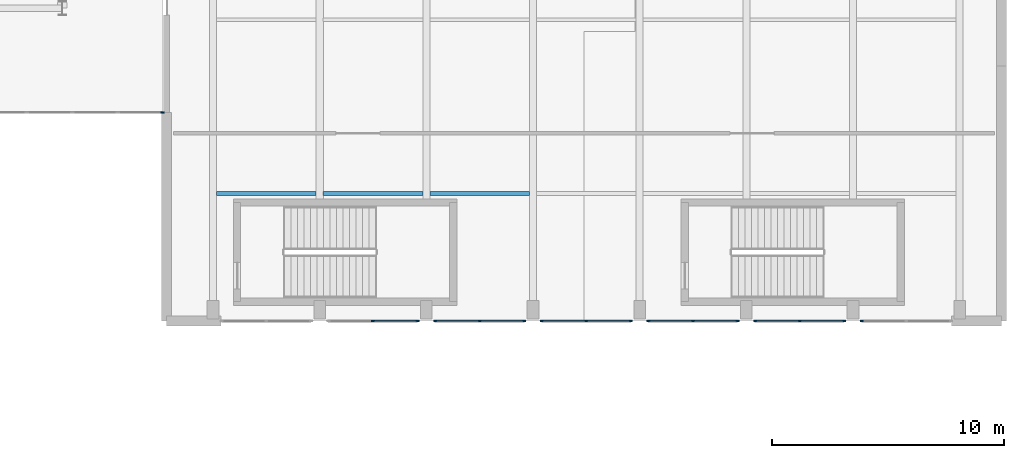
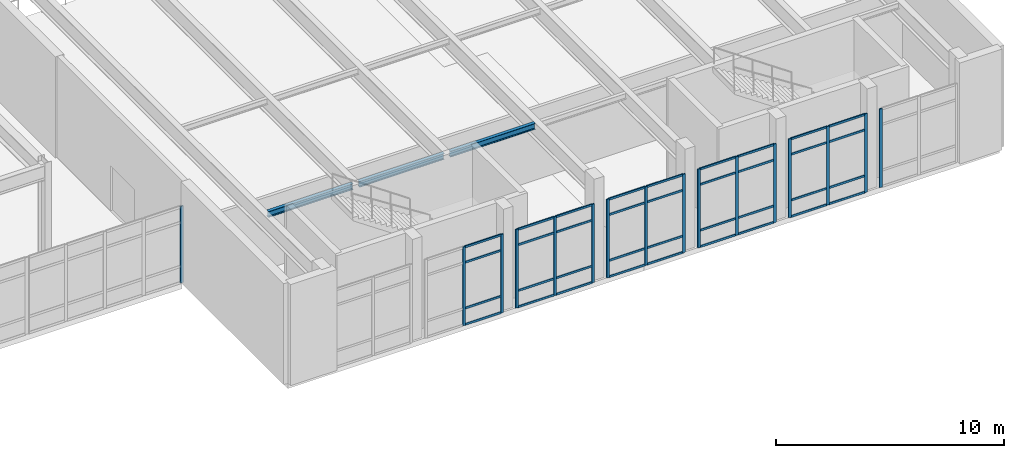
# One storey, part 38 of 84: 52 members, 3 beams, 7 elements without a shape of their own.
"""IFC4 building model written with IfcOpenShell, lengths in metres."""

from ifc_helpers import new_model, si_unit, direction, frame, origin, origin_2d, place, context, subcontext, project, spatial, rectangle, i_section, extrude, material, layer, layer_set, material_profile, profile_set, type_object, element, aggregate, save


model = new_model("IFC4")

# Units and contexts
model_context = context("Model", 3, precision=1e-05, world=origin(), true_north=direction((0.0, 1.0)))
body_context = subcontext(model_context, "Body", "Model", "MODEL_VIEW")
ifc_project = project(units=[si_unit("LENGTHUNIT", "METRE"), si_unit("AREAUNIT", "SQUARE_METRE"), si_unit("VOLUMEUNIT", "CUBIC_METRE"), si_unit("PLANEANGLEUNIT", "RADIAN"), si_unit("MASSUNIT", "GRAM", prefix="KILO")], contexts=[model_context])

# Site, building, storey
site_placement = place(None, origin())
site = spatial("IfcSite", under=ifc_project, at=site_placement, CompositionType="ELEMENT")
building_placement = place(site_placement, origin())
building = spatial("IfcBuilding", under=site, at=building_placement, Name="Tlacozan Convention Centre", CompositionType="ELEMENT")
storey_placement = place(building_placement, frame((0.0, 0.0, 6.0)))
storey = spatial("IfcBuildingStorey", under=building, at=storey_placement, Name="L01", CompositionType="ELEMENT", Elevation=6.0)

# Curtain wall, members
ifc_material_1 = material(Name="Dark Bronze Anodised Aluminium", Category="aluminium")
ifc_layer_1 = layer(ifc_material_1, 0.139892578125)
ifc_layer_set_1 = layer_set([ifc_layer_1], Name="Dark Bronze Anodised Aluminium")
curtain_wall_type_1 = type_object("IfcCurtainWallType", Name="Plenary Foyer L01 Curtain Wall CW11", PredefinedType="NOTDEFINED", material=ifc_layer_set_1)
curtain_wall_1_placement = place(storey_placement, origin())
curtain_wall_1 = element("IfcCurtainWall", 1, at=curtain_wall_1_placement, inside=storey, type_object=curtain_wall_type_1, Name="L01 CW-11 Run 143", PredefinedType="NOTDEFINED")
ifc_material_profile_1 = material_profile(ifc_material_1, rectangle(XDim=0.06005859375, YDim=0.139892578125, at=origin_2d()), Name="ALU 60x140")
ifc_profile_set_1 = profile_set([ifc_material_profile_1], Name="Dark Bronze Anodised Aluminium")
member_type_1 = type_object("IfcMemberType", Name="Curtain Wall Light Mullion 60x140", PredefinedType="MULLION", material=ifc_profile_set_1)
member_1_placement = place(storey_placement, frame((152.89990234375, 18.0, 0.0), z_axis=(0.0, 0.0, 1.0), x_axis=(0.0, 1.0, 0.0)))
member_1 = element("IfcMember", 2, at=member_1_placement, type_object=member_type_1, Name="CW-11 mullion 2", PredefinedType="MULLION", context=body_context, shape_type="SweptSolid", body=[
    extrude(rectangle(XDim=0.06005859375, YDim=0.139892578125, at=origin_2d()), origin(), (0.0, 0.0, 1.0), 4.199951171875),
])
member_2_placement = place(storey_placement, frame((154.820068359375, 18.0, 0.0), z_axis=(0.0, 0.0, 1.0), x_axis=(0.0, 1.0, 0.0)))
member_2 = element("IfcMember", 3, at=member_2_placement, type_object=member_type_1, Name="CW-11 mullion 3", PredefinedType="MULLION", context=body_context, shape_type="SweptSolid", body=[
    extrude(rectangle(XDim=0.06005859375, YDim=0.139892578125, at=origin_2d()), origin(), (0.0, 0.0, 1.0), 4.199951171875),
])

curtain_wall_2_placement = place(storey_placement, origin())
curtain_wall_2 = element("IfcCurtainWall", 4, at=curtain_wall_2_placement, inside=storey, type_object=curtain_wall_type_1, Name="L01 CW-11 Run 145", PredefinedType="NOTDEFINED")
member_3_placement = place(storey_placement, frame((155.580078125, 18.0, 0.0), z_axis=(0.0, 0.0, 1.0), x_axis=(0.0, 1.0, 0.0)))
member_3 = element("IfcMember", 5, at=member_3_placement, type_object=member_type_1, Name="CW-11 mullion 1", PredefinedType="MULLION", context=body_context, shape_type="SweptSolid", body=[
    extrude(rectangle(XDim=0.06005859375, YDim=0.139892578125, at=origin_2d()), origin(), (0.0, 0.0, 1.0), 4.199951171875),
])
member_4_placement = place(storey_placement, frame((157.5, 18.0, 0.0), z_axis=(0.0, 0.0, 1.0), x_axis=(0.0, 1.0, 0.0)))
member_4 = element("IfcMember", 6, at=member_4_placement, type_object=member_type_1, Name="CW-11 mullion 2", PredefinedType="MULLION", context=body_context, shape_type="SweptSolid", body=[
    extrude(rectangle(XDim=0.06005859375, YDim=0.139892578125, at=origin_2d()), origin(), (0.0, 0.0, 1.0), 4.199951171875),
])
member_5_placement = place(storey_placement, frame((159.419921875, 18.0, 0.0), z_axis=(0.0, 0.0, 1.0), x_axis=(0.0, 1.0, 0.0)))
member_5 = element("IfcMember", 7, at=member_5_placement, type_object=member_type_1, Name="CW-11 mullion 3", PredefinedType="MULLION", context=body_context, shape_type="SweptSolid", body=[
    extrude(rectangle(XDim=0.06005859375, YDim=0.139892578125, at=origin_2d()), origin(), (0.0, 0.0, 1.0), 4.199951171875),
])

curtain_wall_3_placement = place(storey_placement, origin())
curtain_wall_3 = element("IfcCurtainWall", 8, at=curtain_wall_3_placement, inside=storey, type_object=curtain_wall_type_1, Name="L01 CW-11 Run 147", PredefinedType="NOTDEFINED")
member_6_placement = place(storey_placement, frame((160.179931640625, 18.0, 0.0), z_axis=(0.0, 0.0, 1.0), x_axis=(0.0, 1.0, 0.0)))
member_6 = element("IfcMember", 9, at=member_6_placement, type_object=member_type_1, Name="CW-11 mullion 1", PredefinedType="MULLION", context=body_context, shape_type="SweptSolid", body=[
    extrude(rectangle(XDim=0.06005859375, YDim=0.139892578125, at=origin_2d()), origin(), (0.0, 0.0, 1.0), 4.199951171875),
])
member_7_placement = place(storey_placement, frame((162.10009765625, 18.0, 0.0), z_axis=(0.0, 0.0, 1.0), x_axis=(0.0, 1.0, 0.0)))
member_7 = element("IfcMember", 10, at=member_7_placement, type_object=member_type_1, Name="CW-11 mullion 2", PredefinedType="MULLION", context=body_context, shape_type="SweptSolid", body=[
    extrude(rectangle(XDim=0.06005859375, YDim=0.139892578125, at=origin_2d()), origin(), (0.0, 0.0, 1.0), 4.199951171875),
])
member_8_placement = place(storey_placement, frame((164.02001953125, 18.0, 0.0), z_axis=(0.0, 0.0, 1.0), x_axis=(0.0, 1.0, 0.0)))
member_8 = element("IfcMember", 11, at=member_8_placement, type_object=member_type_1, Name="CW-11 mullion 3", PredefinedType="MULLION", context=body_context, shape_type="SweptSolid", body=[
    extrude(rectangle(XDim=0.06005859375, YDim=0.139892578125, at=origin_2d()), origin(), (0.0, 0.0, 1.0), 4.199951171875),
])

curtain_wall_4_placement = place(storey_placement, origin())
curtain_wall_4 = element("IfcCurtainWall", 12, at=curtain_wall_4_placement, inside=storey, type_object=curtain_wall_type_1, Name="L01 CW-11 Run 149", PredefinedType="NOTDEFINED")
member_9_placement = place(storey_placement, frame((164.780029296875, 18.0, 0.0), z_axis=(0.0, 0.0, 1.0), x_axis=(0.0, 1.0, 0.0)))
member_9 = element("IfcMember", 13, at=member_9_placement, type_object=member_type_1, Name="CW-11 mullion 1", PredefinedType="MULLION", context=body_context, shape_type="SweptSolid", body=[
    extrude(rectangle(XDim=0.06005859375, YDim=0.139892578125, at=origin_2d()), origin(), (0.0, 0.0, 1.0), 4.199951171875),
])
member_10_placement = place(storey_placement, frame((166.699951171875, 18.0, 0.0), z_axis=(0.0, 0.0, 1.0), x_axis=(0.0, 1.0, 0.0)))
member_10 = element("IfcMember", 14, at=member_10_placement, type_object=member_type_1, Name="CW-11 mullion 2", PredefinedType="MULLION", context=body_context, shape_type="SweptSolid", body=[
    extrude(rectangle(XDim=0.06005859375, YDim=0.139892578125, at=origin_2d()), origin(), (0.0, 0.0, 1.0), 4.199951171875),
])
member_11_placement = place(storey_placement, frame((168.6201171875, 18.0, 0.0), z_axis=(0.0, 0.0, 1.0), x_axis=(0.0, 1.0, 0.0)))
member_11 = element("IfcMember", 15, at=member_11_placement, type_object=member_type_1, Name="CW-11 mullion 3", PredefinedType="MULLION", context=body_context, shape_type="SweptSolid", body=[
    extrude(rectangle(XDim=0.06005859375, YDim=0.139892578125, at=origin_2d()), origin(), (0.0, 0.0, 1.0), 4.199951171875),
])

curtain_wall_5_placement = place(storey_placement, origin())
curtain_wall_5 = element("IfcCurtainWall", 16, at=curtain_wall_5_placement, inside=storey, type_object=curtain_wall_type_1, Name="L01 CW-11 Run 151", PredefinedType="NOTDEFINED")
member_12_placement = place(storey_placement, frame((169.3798828125, 18.0, 0.0), z_axis=(0.0, 0.0, 1.0), x_axis=(0.0, 1.0, 0.0)))
member_12 = element("IfcMember", 17, at=member_12_placement, type_object=member_type_1, Name="CW-11 mullion 1", PredefinedType="MULLION", context=body_context, shape_type="SweptSolid", body=[
    extrude(rectangle(XDim=0.06005859375, YDim=0.139892578125, at=origin_2d()), origin(), (0.0, 0.0, 1.0), 4.199951171875),
])
member_13_placement = place(storey_placement, frame((171.300048828125, 18.0, 0.0), z_axis=(0.0, 0.0, 1.0), x_axis=(0.0, 1.0, 0.0)))
member_13 = element("IfcMember", 18, at=member_13_placement, type_object=member_type_1, Name="CW-11 mullion 2", PredefinedType="MULLION", context=body_context, shape_type="SweptSolid", body=[
    extrude(rectangle(XDim=0.06005859375, YDim=0.139892578125, at=origin_2d()), origin(), (0.0, 0.0, 1.0), 4.199951171875),
])
member_14_placement = place(storey_placement, frame((173.219970703125, 18.0, 0.0), z_axis=(0.0, 0.0, 1.0), x_axis=(0.0, 1.0, 0.0)))
member_14 = element("IfcMember", 19, at=member_14_placement, type_object=member_type_1, Name="CW-11 mullion 3", PredefinedType="MULLION", context=body_context, shape_type="SweptSolid", body=[
    extrude(rectangle(XDim=0.06005859375, YDim=0.139892578125, at=origin_2d()), origin(), (0.0, 0.0, 1.0), 4.199951171875),
])

# Curtain wall, member
curtain_wall_6_placement = place(storey_placement, origin())
curtain_wall_6 = element("IfcCurtainWall", 20, at=curtain_wall_6_placement, inside=storey, type_object=curtain_wall_type_1, Name="L01 CW-11 Run 153", PredefinedType="NOTDEFINED")
member_15_placement = place(storey_placement, frame((173.97998046875, 18.0, 0.0), z_axis=(0.0, 0.0, 1.0), x_axis=(0.0, 1.0, 0.0)))
member_15 = element("IfcMember", 21, at=member_15_placement, type_object=member_type_1, Name="CW-11 mullion 1", PredefinedType="MULLION", context=body_context, shape_type="SweptSolid", body=[
    extrude(rectangle(XDim=0.06005859375, YDim=0.139892578125, at=origin_2d()), origin(), (0.0, 0.0, 1.0), 4.199951171875),
])
aggregate(curtain_wall_6, [member_15])

# Member
ifc_material_profile_2 = material_profile(ifc_material_1, rectangle(XDim=0.06005859375, YDim=0.110107421875, at=origin_2d()), Name="ALU 60x110")
ifc_profile_set_2 = profile_set([ifc_material_profile_2], Name="Dark Bronze Anodised Aluminium")
member_type_2 = type_object("IfcMemberType", Name="Curtain Wall Light Transom 60x110", PredefinedType="USERDEFINED", material=ifc_profile_set_2)
member_16_placement = place(storey_placement, frame((152.929931640625, 18.0, 0.030029296875), z_axis=(1.0, 0.0, 0.0), x_axis=(0.0, 1.0, 0.0)))
member_16 = element("IfcMember", 22, at=member_16_placement, type_object=member_type_2, Name="CW-11 transom 2.1", ObjectType="TRANSOM", PredefinedType="USERDEFINED", context=body_context, shape_type="SweptSolid", body=[
    extrude(rectangle(XDim=0.06005859375, YDim=0.110107421875, at=origin_2d()), origin(), (0.0, 0.0, 1.0), 1.860107421875),
])

member_17_placement = place(storey_placement, frame((152.929931640625, 18.0, 0.89990234375), z_axis=(1.0, 0.0, 0.0), x_axis=(0.0, 1.0, 0.0)))
member_17 = element("IfcMember", 23, at=member_17_placement, type_object=member_type_2, Name="CW-11 transom 2.2", ObjectType="TRANSOM", PredefinedType="USERDEFINED", context=body_context, shape_type="SweptSolid", body=[
    extrude(rectangle(XDim=0.06005859375, YDim=0.110107421875, at=origin_2d()), origin(), (0.0, 0.0, 1.0), 1.860107421875),
])

member_18_placement = place(storey_placement, frame((152.929931640625, 18.0, 3.35009765625), z_axis=(1.0, 0.0, 0.0), x_axis=(0.0, 1.0, 0.0)))
member_18 = element("IfcMember", 24, at=member_18_placement, type_object=member_type_2, Name="CW-11 transom 2.3", ObjectType="TRANSOM", PredefinedType="USERDEFINED", context=body_context, shape_type="SweptSolid", body=[
    extrude(rectangle(XDim=0.06005859375, YDim=0.110107421875, at=origin_2d()), origin(), (0.0, 0.0, 1.0), 1.860107421875),
])

member_19_placement = place(storey_placement, frame((152.929931640625, 18.0, 4.169921875), z_axis=(1.0, 0.0, 0.0), x_axis=(0.0, 1.0, 0.0)))
member_19 = element("IfcMember", 25, at=member_19_placement, type_object=member_type_2, Name="CW-11 transom 2.4", ObjectType="TRANSOM", PredefinedType="USERDEFINED", context=body_context, shape_type="SweptSolid", body=[
    extrude(rectangle(XDim=0.06005859375, YDim=0.110107421875, at=origin_2d()), origin(), (0.0, 0.0, 1.0), 1.860107421875),
])

aggregate(curtain_wall_1, [member_1, member_2, member_16, member_17, member_18, member_19])

member_20_placement = place(storey_placement, frame((155.610107421875, 18.0, 0.030029296875), z_axis=(1.0, 0.0, 0.0), x_axis=(0.0, 1.0, 0.0)))
member_20 = element("IfcMember", 26, at=member_20_placement, type_object=member_type_2, Name="CW-11 transom 1.1", ObjectType="TRANSOM", PredefinedType="USERDEFINED", context=body_context, shape_type="SweptSolid", body=[
    extrude(rectangle(XDim=0.06005859375, YDim=0.110107421875, at=origin_2d()), origin(), (0.0, 0.0, 1.0), 1.85986328125),
])

member_21_placement = place(storey_placement, frame((155.610107421875, 18.0, 0.89990234375), z_axis=(1.0, 0.0, 0.0), x_axis=(0.0, 1.0, 0.0)))
member_21 = element("IfcMember", 27, at=member_21_placement, type_object=member_type_2, Name="CW-11 transom 1.2", ObjectType="TRANSOM", PredefinedType="USERDEFINED", context=body_context, shape_type="SweptSolid", body=[
    extrude(rectangle(XDim=0.06005859375, YDim=0.110107421875, at=origin_2d()), origin(), (0.0, 0.0, 1.0), 1.85986328125),
])

member_22_placement = place(storey_placement, frame((155.610107421875, 18.0, 3.35009765625), z_axis=(1.0, 0.0, 0.0), x_axis=(0.0, 1.0, 0.0)))
member_22 = element("IfcMember", 28, at=member_22_placement, type_object=member_type_2, Name="CW-11 transom 1.3", ObjectType="TRANSOM", PredefinedType="USERDEFINED", context=body_context, shape_type="SweptSolid", body=[
    extrude(rectangle(XDim=0.06005859375, YDim=0.110107421875, at=origin_2d()), origin(), (0.0, 0.0, 1.0), 1.85986328125),
])

member_23_placement = place(storey_placement, frame((155.610107421875, 18.0, 4.169921875), z_axis=(1.0, 0.0, 0.0), x_axis=(0.0, 1.0, 0.0)))
member_23 = element("IfcMember", 29, at=member_23_placement, type_object=member_type_2, Name="CW-11 transom 1.4", ObjectType="TRANSOM", PredefinedType="USERDEFINED", context=body_context, shape_type="SweptSolid", body=[
    extrude(rectangle(XDim=0.06005859375, YDim=0.110107421875, at=origin_2d()), origin(), (0.0, 0.0, 1.0), 1.85986328125),
])

member_24_placement = place(storey_placement, frame((157.530029296875, 18.0, 0.030029296875), z_axis=(1.0, 0.0, 0.0), x_axis=(0.0, 1.0, 0.0)))
member_24 = element("IfcMember", 30, at=member_24_placement, type_object=member_type_2, Name="CW-11 transom 2.1", ObjectType="TRANSOM", PredefinedType="USERDEFINED", context=body_context, shape_type="SweptSolid", body=[
    extrude(rectangle(XDim=0.06005859375, YDim=0.110107421875, at=origin_2d()), origin(), (0.0, 0.0, 1.0), 1.85986328125),
])

member_25_placement = place(storey_placement, frame((157.530029296875, 18.0, 0.89990234375), z_axis=(1.0, 0.0, 0.0), x_axis=(0.0, 1.0, 0.0)))
member_25 = element("IfcMember", 31, at=member_25_placement, type_object=member_type_2, Name="CW-11 transom 2.2", ObjectType="TRANSOM", PredefinedType="USERDEFINED", context=body_context, shape_type="SweptSolid", body=[
    extrude(rectangle(XDim=0.06005859375, YDim=0.110107421875, at=origin_2d()), origin(), (0.0, 0.0, 1.0), 1.85986328125),
])

member_26_placement = place(storey_placement, frame((157.530029296875, 18.0, 3.35009765625), z_axis=(1.0, 0.0, 0.0), x_axis=(0.0, 1.0, 0.0)))
member_26 = element("IfcMember", 32, at=member_26_placement, type_object=member_type_2, Name="CW-11 transom 2.3", ObjectType="TRANSOM", PredefinedType="USERDEFINED", context=body_context, shape_type="SweptSolid", body=[
    extrude(rectangle(XDim=0.06005859375, YDim=0.110107421875, at=origin_2d()), origin(), (0.0, 0.0, 1.0), 1.85986328125),
])

member_27_placement = place(storey_placement, frame((157.530029296875, 18.0, 4.169921875), z_axis=(1.0, 0.0, 0.0), x_axis=(0.0, 1.0, 0.0)))
member_27 = element("IfcMember", 33, at=member_27_placement, type_object=member_type_2, Name="CW-11 transom 2.4", ObjectType="TRANSOM", PredefinedType="USERDEFINED", context=body_context, shape_type="SweptSolid", body=[
    extrude(rectangle(XDim=0.06005859375, YDim=0.110107421875, at=origin_2d()), origin(), (0.0, 0.0, 1.0), 1.85986328125),
])

aggregate(curtain_wall_2, [member_3, member_4, member_5, member_20, member_21, member_22, member_23, member_24, member_25, member_26, member_27])

member_28_placement = place(storey_placement, frame((160.2099609375, 18.0, 0.030029296875), z_axis=(1.0, 0.0, 0.0), x_axis=(0.0, 1.0, 0.0)))
member_28 = element("IfcMember", 34, at=member_28_placement, type_object=member_type_2, Name="CW-11 transom 1.1", ObjectType="TRANSOM", PredefinedType="USERDEFINED", context=body_context, shape_type="SweptSolid", body=[
    extrude(rectangle(XDim=0.06005859375, YDim=0.110107421875, at=origin_2d()), origin(), (0.0, 0.0, 1.0), 1.860107421875),
])

member_29_placement = place(storey_placement, frame((160.2099609375, 18.0, 0.89990234375), z_axis=(1.0, 0.0, 0.0), x_axis=(0.0, 1.0, 0.0)))
member_29 = element("IfcMember", 35, at=member_29_placement, type_object=member_type_2, Name="CW-11 transom 1.2", ObjectType="TRANSOM", PredefinedType="USERDEFINED", context=body_context, shape_type="SweptSolid", body=[
    extrude(rectangle(XDim=0.06005859375, YDim=0.110107421875, at=origin_2d()), origin(), (0.0, 0.0, 1.0), 1.860107421875),
])

member_30_placement = place(storey_placement, frame((160.2099609375, 18.0, 3.35009765625), z_axis=(1.0, 0.0, 0.0), x_axis=(0.0, 1.0, 0.0)))
member_30 = element("IfcMember", 36, at=member_30_placement, type_object=member_type_2, Name="CW-11 transom 1.3", ObjectType="TRANSOM", PredefinedType="USERDEFINED", context=body_context, shape_type="SweptSolid", body=[
    extrude(rectangle(XDim=0.06005859375, YDim=0.110107421875, at=origin_2d()), origin(), (0.0, 0.0, 1.0), 1.860107421875),
])

member_31_placement = place(storey_placement, frame((160.2099609375, 18.0, 4.169921875), z_axis=(1.0, 0.0, 0.0), x_axis=(0.0, 1.0, 0.0)))
member_31 = element("IfcMember", 37, at=member_31_placement, type_object=member_type_2, Name="CW-11 transom 1.4", ObjectType="TRANSOM", PredefinedType="USERDEFINED", context=body_context, shape_type="SweptSolid", body=[
    extrude(rectangle(XDim=0.06005859375, YDim=0.110107421875, at=origin_2d()), origin(), (0.0, 0.0, 1.0), 1.860107421875),
])

member_32_placement = place(storey_placement, frame((162.1298828125, 18.0, 0.030029296875), z_axis=(1.0, 0.0, 0.0), x_axis=(0.0, 1.0, 0.0)))
member_32 = element("IfcMember", 38, at=member_32_placement, type_object=member_type_2, Name="CW-11 transom 2.1", ObjectType="TRANSOM", PredefinedType="USERDEFINED", context=body_context, shape_type="SweptSolid", body=[
    extrude(rectangle(XDim=0.06005859375, YDim=0.110107421875, at=origin_2d()), origin(), (0.0, 0.0, 1.0), 1.860107421875),
])

member_33_placement = place(storey_placement, frame((162.1298828125, 18.0, 0.89990234375), z_axis=(1.0, 0.0, 0.0), x_axis=(0.0, 1.0, 0.0)))
member_33 = element("IfcMember", 39, at=member_33_placement, type_object=member_type_2, Name="CW-11 transom 2.2", ObjectType="TRANSOM", PredefinedType="USERDEFINED", context=body_context, shape_type="SweptSolid", body=[
    extrude(rectangle(XDim=0.06005859375, YDim=0.110107421875, at=origin_2d()), origin(), (0.0, 0.0, 1.0), 1.860107421875),
])

member_34_placement = place(storey_placement, frame((162.1298828125, 18.0, 3.35009765625), z_axis=(1.0, 0.0, 0.0), x_axis=(0.0, 1.0, 0.0)))
member_34 = element("IfcMember", 40, at=member_34_placement, type_object=member_type_2, Name="CW-11 transom 2.3", ObjectType="TRANSOM", PredefinedType="USERDEFINED", context=body_context, shape_type="SweptSolid", body=[
    extrude(rectangle(XDim=0.06005859375, YDim=0.110107421875, at=origin_2d()), origin(), (0.0, 0.0, 1.0), 1.860107421875),
])

member_35_placement = place(storey_placement, frame((162.1298828125, 18.0, 4.169921875), z_axis=(1.0, 0.0, 0.0), x_axis=(0.0, 1.0, 0.0)))
member_35 = element("IfcMember", 41, at=member_35_placement, type_object=member_type_2, Name="CW-11 transom 2.4", ObjectType="TRANSOM", PredefinedType="USERDEFINED", context=body_context, shape_type="SweptSolid", body=[
    extrude(rectangle(XDim=0.06005859375, YDim=0.110107421875, at=origin_2d()), origin(), (0.0, 0.0, 1.0), 1.860107421875),
])

aggregate(curtain_wall_3, [member_6, member_7, member_8, member_28, member_29, member_30, member_31, member_32, member_33, member_34, member_35])

member_36_placement = place(storey_placement, frame((164.81005859375, 18.0, 0.030029296875), z_axis=(1.0, 0.0, 0.0), x_axis=(0.0, 1.0, 0.0)))
member_36 = element("IfcMember", 42, at=member_36_placement, type_object=member_type_2, Name="CW-11 transom 1.1", ObjectType="TRANSOM", PredefinedType="USERDEFINED", context=body_context, shape_type="SweptSolid", body=[
    extrude(rectangle(XDim=0.06005859375, YDim=0.110107421875, at=origin_2d()), origin(), (0.0, 0.0, 1.0), 1.85986328125),
])

member_37_placement = place(storey_placement, frame((164.81005859375, 18.0, 0.89990234375), z_axis=(1.0, 0.0, 0.0), x_axis=(0.0, 1.0, 0.0)))
member_37 = element("IfcMember", 43, at=member_37_placement, type_object=member_type_2, Name="CW-11 transom 1.2", ObjectType="TRANSOM", PredefinedType="USERDEFINED", context=body_context, shape_type="SweptSolid", body=[
    extrude(rectangle(XDim=0.06005859375, YDim=0.110107421875, at=origin_2d()), origin(), (0.0, 0.0, 1.0), 1.85986328125),
])

member_38_placement = place(storey_placement, frame((164.81005859375, 18.0, 3.35009765625), z_axis=(1.0, 0.0, 0.0), x_axis=(0.0, 1.0, 0.0)))
member_38 = element("IfcMember", 44, at=member_38_placement, type_object=member_type_2, Name="CW-11 transom 1.3", ObjectType="TRANSOM", PredefinedType="USERDEFINED", context=body_context, shape_type="SweptSolid", body=[
    extrude(rectangle(XDim=0.06005859375, YDim=0.110107421875, at=origin_2d()), origin(), (0.0, 0.0, 1.0), 1.85986328125),
])

member_39_placement = place(storey_placement, frame((164.81005859375, 18.0, 4.169921875), z_axis=(1.0, 0.0, 0.0), x_axis=(0.0, 1.0, 0.0)))
member_39 = element("IfcMember", 45, at=member_39_placement, type_object=member_type_2, Name="CW-11 transom 1.4", ObjectType="TRANSOM", PredefinedType="USERDEFINED", context=body_context, shape_type="SweptSolid", body=[
    extrude(rectangle(XDim=0.06005859375, YDim=0.110107421875, at=origin_2d()), origin(), (0.0, 0.0, 1.0), 1.85986328125),
])

member_40_placement = place(storey_placement, frame((166.72998046875, 18.0, 0.030029296875), z_axis=(1.0, 0.0, 0.0), x_axis=(0.0, 1.0, 0.0)))
member_40 = element("IfcMember", 46, at=member_40_placement, type_object=member_type_2, Name="CW-11 transom 2.1", ObjectType="TRANSOM", PredefinedType="USERDEFINED", context=body_context, shape_type="SweptSolid", body=[
    extrude(rectangle(XDim=0.06005859375, YDim=0.110107421875, at=origin_2d()), origin(), (0.0, 0.0, 1.0), 1.860107421875),
])

member_41_placement = place(storey_placement, frame((166.72998046875, 18.0, 0.89990234375), z_axis=(1.0, 0.0, 0.0), x_axis=(0.0, 1.0, 0.0)))
member_41 = element("IfcMember", 47, at=member_41_placement, type_object=member_type_2, Name="CW-11 transom 2.2", ObjectType="TRANSOM", PredefinedType="USERDEFINED", context=body_context, shape_type="SweptSolid", body=[
    extrude(rectangle(XDim=0.06005859375, YDim=0.110107421875, at=origin_2d()), origin(), (0.0, 0.0, 1.0), 1.860107421875),
])

member_42_placement = place(storey_placement, frame((166.72998046875, 18.0, 3.35009765625), z_axis=(1.0, 0.0, 0.0), x_axis=(0.0, 1.0, 0.0)))
member_42 = element("IfcMember", 48, at=member_42_placement, type_object=member_type_2, Name="CW-11 transom 2.3", ObjectType="TRANSOM", PredefinedType="USERDEFINED", context=body_context, shape_type="SweptSolid", body=[
    extrude(rectangle(XDim=0.06005859375, YDim=0.110107421875, at=origin_2d()), origin(), (0.0, 0.0, 1.0), 1.860107421875),
])

member_43_placement = place(storey_placement, frame((166.72998046875, 18.0, 4.169921875), z_axis=(1.0, 0.0, 0.0), x_axis=(0.0, 1.0, 0.0)))
member_43 = element("IfcMember", 49, at=member_43_placement, type_object=member_type_2, Name="CW-11 transom 2.4", ObjectType="TRANSOM", PredefinedType="USERDEFINED", context=body_context, shape_type="SweptSolid", body=[
    extrude(rectangle(XDim=0.06005859375, YDim=0.110107421875, at=origin_2d()), origin(), (0.0, 0.0, 1.0), 1.860107421875),
])

aggregate(curtain_wall_4, [member_9, member_10, member_11, member_36, member_37, member_38, member_39, member_40, member_41, member_42, member_43])

member_44_placement = place(storey_placement, frame((169.409912109375, 18.0, 0.030029296875), z_axis=(1.0, 0.0, 0.0), x_axis=(0.0, 1.0, 0.0)))
member_44 = element("IfcMember", 50, at=member_44_placement, type_object=member_type_2, Name="CW-11 transom 1.1", ObjectType="TRANSOM", PredefinedType="USERDEFINED", context=body_context, shape_type="SweptSolid", body=[
    extrude(rectangle(XDim=0.06005859375, YDim=0.110107421875, at=origin_2d()), origin(), (0.0, 0.0, 1.0), 1.860107421875),
])

member_45_placement = place(storey_placement, frame((169.409912109375, 18.0, 0.89990234375), z_axis=(1.0, 0.0, 0.0), x_axis=(0.0, 1.0, 0.0)))
member_45 = element("IfcMember", 51, at=member_45_placement, type_object=member_type_2, Name="CW-11 transom 1.2", ObjectType="TRANSOM", PredefinedType="USERDEFINED", context=body_context, shape_type="SweptSolid", body=[
    extrude(rectangle(XDim=0.06005859375, YDim=0.110107421875, at=origin_2d()), origin(), (0.0, 0.0, 1.0), 1.860107421875),
])

member_46_placement = place(storey_placement, frame((169.409912109375, 18.0, 3.35009765625), z_axis=(1.0, 0.0, 0.0), x_axis=(0.0, 1.0, 0.0)))
member_46 = element("IfcMember", 52, at=member_46_placement, type_object=member_type_2, Name="CW-11 transom 1.3", ObjectType="TRANSOM", PredefinedType="USERDEFINED", context=body_context, shape_type="SweptSolid", body=[
    extrude(rectangle(XDim=0.06005859375, YDim=0.110107421875, at=origin_2d()), origin(), (0.0, 0.0, 1.0), 1.860107421875),
])

member_47_placement = place(storey_placement, frame((169.409912109375, 18.0, 4.169921875), z_axis=(1.0, 0.0, 0.0), x_axis=(0.0, 1.0, 0.0)))
member_47 = element("IfcMember", 53, at=member_47_placement, type_object=member_type_2, Name="CW-11 transom 1.4", ObjectType="TRANSOM", PredefinedType="USERDEFINED", context=body_context, shape_type="SweptSolid", body=[
    extrude(rectangle(XDim=0.06005859375, YDim=0.110107421875, at=origin_2d()), origin(), (0.0, 0.0, 1.0), 1.860107421875),
])

member_48_placement = place(storey_placement, frame((171.330078125, 18.0, 0.030029296875), z_axis=(1.0, 0.0, 0.0), x_axis=(0.0, 1.0, 0.0)))
member_48 = element("IfcMember", 54, at=member_48_placement, type_object=member_type_2, Name="CW-11 transom 2.1", ObjectType="TRANSOM", PredefinedType="USERDEFINED", context=body_context, shape_type="SweptSolid", body=[
    extrude(rectangle(XDim=0.06005859375, YDim=0.110107421875, at=origin_2d()), origin(), (0.0, 0.0, 1.0), 1.85986328125),
])

member_49_placement = place(storey_placement, frame((171.330078125, 18.0, 0.89990234375), z_axis=(1.0, 0.0, 0.0), x_axis=(0.0, 1.0, 0.0)))
member_49 = element("IfcMember", 55, at=member_49_placement, type_object=member_type_2, Name="CW-11 transom 2.2", ObjectType="TRANSOM", PredefinedType="USERDEFINED", context=body_context, shape_type="SweptSolid", body=[
    extrude(rectangle(XDim=0.06005859375, YDim=0.110107421875, at=origin_2d()), origin(), (0.0, 0.0, 1.0), 1.85986328125),
])

member_50_placement = place(storey_placement, frame((171.330078125, 18.0, 3.35009765625), z_axis=(1.0, 0.0, 0.0), x_axis=(0.0, 1.0, 0.0)))
member_50 = element("IfcMember", 56, at=member_50_placement, type_object=member_type_2, Name="CW-11 transom 2.3", ObjectType="TRANSOM", PredefinedType="USERDEFINED", context=body_context, shape_type="SweptSolid", body=[
    extrude(rectangle(XDim=0.06005859375, YDim=0.110107421875, at=origin_2d()), origin(), (0.0, 0.0, 1.0), 1.85986328125),
])

member_51_placement = place(storey_placement, frame((171.330078125, 18.0, 4.169921875), z_axis=(1.0, 0.0, 0.0), x_axis=(0.0, 1.0, 0.0)))
member_51 = element("IfcMember", 57, at=member_51_placement, type_object=member_type_2, Name="CW-11 transom 2.4", ObjectType="TRANSOM", PredefinedType="USERDEFINED", context=body_context, shape_type="SweptSolid", body=[
    extrude(rectangle(XDim=0.06005859375, YDim=0.110107421875, at=origin_2d()), origin(), (0.0, 0.0, 1.0), 1.85986328125),
])

aggregate(curtain_wall_5, [member_12, member_13, member_14, member_44, member_45, member_46, member_47, member_48, member_49, member_50, member_51])

# Curtain wall, member
ifc_layer_2 = layer(ifc_material_1, 0.199951171875)
ifc_layer_set_2 = layer_set([ifc_layer_2], Name="Dark Bronze Anodised Aluminium")
curtain_wall_type_2 = type_object("IfcCurtainWallType", Name="Unitised Ballroom Cloister L01 CW08", PredefinedType="NOTDEFINED", material=ifc_layer_set_2)
curtain_wall_7_placement = place(storey_placement, origin())
curtain_wall_7 = element("IfcCurtainWall", 58, at=curtain_wall_7_placement, inside=storey, type_object=curtain_wall_type_2, Name="L01 CW-08 Run 167", PredefinedType="NOTDEFINED")
ifc_material_profile_3 = material_profile(ifc_material_1, rectangle(XDim=0.06494140625, YDim=0.159912109375, at=origin_2d()), Name="ALU 65x160")
ifc_profile_set_3 = profile_set([ifc_material_profile_3], Name="Dark Bronze Anodised Aluminium")
member_type_3 = type_object("IfcMemberType", Name="Curtain Wall Mullion 65x160", PredefinedType="MULLION", material=ifc_profile_set_3)
member_52_placement = place(storey_placement, frame((143.8173828125, 27.0, 0.0), z_axis=(0.0, 0.0, 1.0), x_axis=(0.0, 1.0, 0.0)))
member_52 = element("IfcMember", 59, at=member_52_placement, type_object=member_type_3, Name="CW-08 mullion 5", PredefinedType="MULLION", context=body_context, shape_type="SweptSolid", body=[
    extrude(rectangle(XDim=0.06494140625, YDim=0.159912109375, at=origin_2d()), origin(), (0.0, 0.0, 1.0), 4.10009765625),
])
aggregate(curtain_wall_7, [member_52])

# Beams
ifc_material_2 = material(Name="Steel ASTM A992 Grade 50", Category="steel")
ifc_material_profile_4 = material_profile(ifc_material_2, i_section(OverallWidth=0.1669921875, OverallDepth=0.31689453125, WebThickness=0.007568359375, FlangeThickness=0.01318359375, FilletRadius=0.010009765625, at=origin_2d()), Name="IR 305x52.2")
ifc_profile_set_4 = profile_set([ifc_material_profile_4], Name="Steel ASTM A992 Grade 50")
beam_type = type_object("IfcBeamType", Name="Secondary Joist IR 305x52.2", PredefinedType="JOIST", material=ifc_profile_set_4)
beam_1_placement = place(storey_placement, frame((146.152099609375, 23.5, 4.9814453125), z_axis=(1.0, 0.0, 0.0), x_axis=(0.0, 1.0, 0.0)))
element("IfcBeam", 60, at=beam_1_placement, inside=storey, type_object=beam_type, Name="L01 Secondary Joist IR 305x52.2 1605", PredefinedType="JOIST", context=body_context, shape_type="SweptSolid", body=[
    extrude(i_section(OverallWidth=0.1669921875, OverallDepth=0.31689453125, WebThickness=0.007568359375, FlangeThickness=0.01318359375, FilletRadius=0.010009765625, at=origin_2d()), origin(), (0.0, 0.0, 1.0), 4.2958984375),
])
beam_2_placement = place(storey_placement, frame((150.751953125, 23.5, 4.9814453125), z_axis=(1.0, 0.0, 0.0), x_axis=(0.0, 1.0, 0.0)))
element("IfcBeam", 61, at=beam_2_placement, inside=storey, type_object=beam_type, Name="L01 Secondary Joist IR 305x52.2 1607", PredefinedType="JOIST", context=body_context, shape_type="SweptSolid", body=[
    extrude(i_section(OverallWidth=0.1669921875, OverallDepth=0.31689453125, WebThickness=0.007568359375, FlangeThickness=0.01318359375, FilletRadius=0.010009765625, at=origin_2d()), origin(), (0.0, 0.0, 1.0), 4.296142578125),
])
beam_3_placement = place(storey_placement, frame((155.35205078125, 23.5, 4.9814453125), z_axis=(1.0, 0.0, 0.0), x_axis=(0.0, 1.0, 0.0)))
element("IfcBeam", 62, at=beam_3_placement, inside=storey, type_object=beam_type, Name="L01 Secondary Joist IR 305x52.2 1609", PredefinedType="JOIST", context=body_context, shape_type="SweptSolid", body=[
    extrude(i_section(OverallWidth=0.1669921875, OverallDepth=0.31689453125, WebThickness=0.007568359375, FlangeThickness=0.01318359375, FilletRadius=0.010009765625, at=origin_2d()), origin(), (0.0, 0.0, 1.0), 4.2958984375),
])

save(model, "model.ifc")
